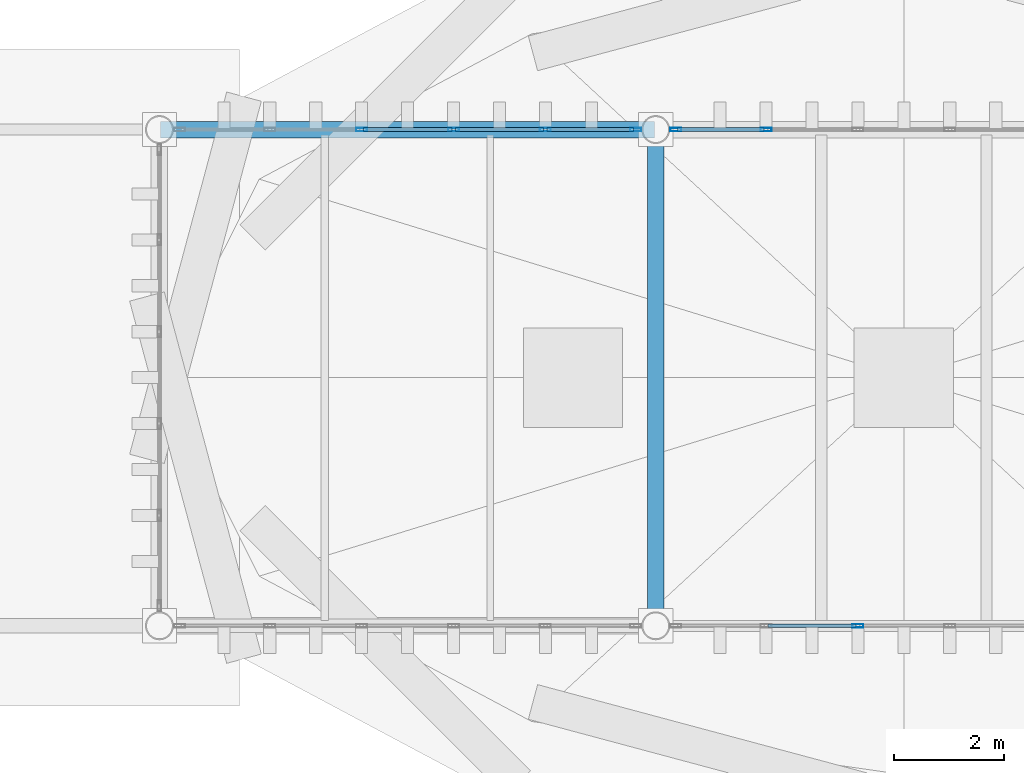
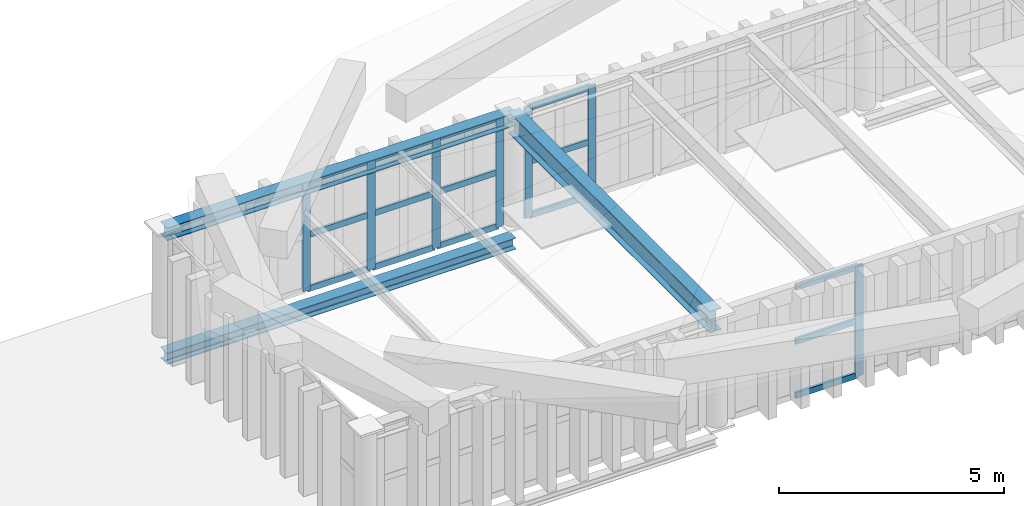
# One storey, part 17 of 102: 22 members, 3 beams, 3 elements without a shape of their own.
"""IFC4 building model written with IfcOpenShell, lengths in metres."""

from ifc_helpers import new_model, si_unit, direction, frame, origin, origin_2d, place, context, subcontext, project, spatial, hollow_rectangle, i_section, extrude, material, layer, layer_set, material_profile, profile_set, type_object, element, aggregate, save


model = new_model("IFC4")

# Units and contexts
model_context = context("Model", 3, precision=1e-05, world=origin(), true_north=direction((0.0, 1.0)))
body_context = subcontext(model_context, "Body", "Model", "MODEL_VIEW")
ifc_project = project(units=[si_unit("LENGTHUNIT", "METRE"), si_unit("AREAUNIT", "SQUARE_METRE"), si_unit("VOLUMEUNIT", "CUBIC_METRE"), si_unit("PLANEANGLEUNIT", "RADIAN"), si_unit("MASSUNIT", "GRAM", prefix="KILO")], contexts=[model_context])

# Site, building, storey
site_placement = place(None, origin())
site = spatial("IfcSite", under=ifc_project, at=site_placement, CompositionType="ELEMENT")
building_placement = place(site_placement, origin())
building = spatial("IfcBuilding", under=site, at=building_placement, Name="Barlavento Convention Centre", CompositionType="ELEMENT")
storey_placement = place(building_placement, frame((0.0, 0.0, 22.800048828125)))
storey = spatial("IfcBuildingStorey", under=building, at=storey_placement, Name="L04", CompositionType="ELEMENT", Elevation=22.800048828125)

# Curtain wall, members
ifc_material_1 = material(Name="Powder-coated aluminium and Low-E glass", Category="aluminium")
ifc_layer = layer(ifc_material_1, 0.18505859375)
ifc_layer_set = layer_set([ifc_layer], Name="ARC-CW-CONF-L04")
curtain_wall_type = type_object("IfcCurtainWallType", Name="ARC-CW-CONF-L04", PredefinedType="NOTDEFINED", material=ifc_layer_set)
curtain_wall_1_placement = place(storey_placement, origin())
curtain_wall_1 = element("IfcCurtainWall", 1, at=curtain_wall_1_placement, inside=storey, type_object=curtain_wall_type, Name="L04 unitised curtain wall CW09", PredefinedType="NOTDEFINED")
ifc_material_2 = material(Name="Powder-coated aluminium", Category="aluminium")
ifc_material_profile_1 = material_profile(ifc_material_2, hollow_rectangle(XDim=0.06494140625, YDim=0.199951171875, WallThickness=0.0048828125, at=origin_2d()), Name="AL-MULL 65x200x5")
ifc_profile_set_1 = profile_set([ifc_material_profile_1], Name="Powder-coated aluminium")
member_type_1 = type_object("IfcMemberType", Name="ARC-CWM-65X200", PredefinedType="MULLION", material=ifc_profile_set_1)
member_1_placement = place(storey_placement, frame((84.666748046875, 54.0, 0.0), z_axis=(0.0, 0.0, 1.0), x_axis=(0.0, 1.0, 0.0)))
member_1 = element("IfcMember", 2, at=member_1_placement, type_object=member_type_1, Name="CW09 mullion 3", PredefinedType="MULLION", context=body_context, shape_type="SweptSolid", body=[
    extrude(hollow_rectangle(XDim=0.06494140625, YDim=0.199951171875, WallThickness=0.0048828125, at=origin_2d()), origin(), (0.0, 0.0, 1.0), 3.0),
])
member_2_placement = place(storey_placement, frame((86.333251953125, 54.0, 0.0), z_axis=(0.0, 0.0, 1.0), x_axis=(0.0, 1.0, 0.0)))
member_2 = element("IfcMember", 3, at=member_2_placement, type_object=member_type_1, Name="CW09 mullion 4", PredefinedType="MULLION", context=body_context, shape_type="SweptSolid", body=[
    extrude(hollow_rectangle(XDim=0.06494140625, YDim=0.199951171875, WallThickness=0.0048828125, at=origin_2d()), origin(), (0.0, 0.0, 1.0), 3.0),
])
member_3_placement = place(storey_placement, frame((87.99951171875, 54.0, 0.0), z_axis=(0.0, 0.0, 1.0), x_axis=(0.0, 1.0, 0.0)))
member_3 = element("IfcMember", 4, at=member_3_placement, type_object=member_type_1, Name="CW09 mullion 5", PredefinedType="MULLION", context=body_context, shape_type="SweptSolid", body=[
    extrude(hollow_rectangle(XDim=0.06494140625, YDim=0.199951171875, WallThickness=0.0048828125, at=origin_2d()), origin(), (0.0, 0.0, 1.0), 3.0),
])
member_4_placement = place(storey_placement, frame((89.633544921875, 54.0, 0.0), z_axis=(0.0, 0.0, 1.0), x_axis=(0.0, 1.0, 0.0)))
member_4 = element("IfcMember", 5, at=member_4_placement, type_object=member_type_1, Name="CW09 mullion 6", PredefinedType="MULLION", context=body_context, shape_type="SweptSolid", body=[
    extrude(hollow_rectangle(XDim=0.06494140625, YDim=0.199951171875, WallThickness=0.0048828125, at=origin_2d()), origin(), (0.0, 0.0, 1.0), 3.0),
])

# Curtain wall, member
curtain_wall_2_placement = place(storey_placement, origin())
curtain_wall_2 = element("IfcCurtainWall", 6, at=curtain_wall_2_placement, inside=storey, type_object=curtain_wall_type, Name="L04 unitised curtain wall CW09", PredefinedType="NOTDEFINED")
member_5_placement = place(storey_placement, frame((93.666748046875, 45.0, 0.0), z_axis=(0.0, 0.0, 1.0), x_axis=(0.0, 1.0, 0.0)))
member_5 = element("IfcMember", 7, at=member_5_placement, type_object=member_type_1, Name="CW09 mullion 3", PredefinedType="MULLION", context=body_context, shape_type="SweptSolid", body=[
    extrude(hollow_rectangle(XDim=0.06494140625, YDim=0.199951171875, WallThickness=0.0048828125, at=origin_2d()), origin(), (0.0, 0.0, 1.0), 3.0),
])

# Curtain wall, members
curtain_wall_3_placement = place(storey_placement, origin())
curtain_wall_3 = element("IfcCurtainWall", 8, at=curtain_wall_3_placement, inside=storey, type_object=curtain_wall_type, Name="L04 unitised curtain wall CW09", PredefinedType="NOTDEFINED")
member_6_placement = place(storey_placement, frame((90.366455078125, 54.0, 0.0), z_axis=(0.0, 0.0, 1.0), x_axis=(0.0, 1.0, 0.0)))
member_6 = element("IfcMember", 9, at=member_6_placement, type_object=member_type_1, Name="CW09 mullion 1", PredefinedType="MULLION", context=body_context, shape_type="SweptSolid", body=[
    extrude(hollow_rectangle(XDim=0.06494140625, YDim=0.199951171875, WallThickness=0.0048828125, at=origin_2d()), origin(), (0.0, 0.0, 1.0), 3.0),
])
member_7_placement = place(storey_placement, frame((92.00048828125, 54.0, 0.0), z_axis=(0.0, 0.0, 1.0), x_axis=(0.0, 1.0, 0.0)))
member_7 = element("IfcMember", 10, at=member_7_placement, type_object=member_type_1, Name="CW09 mullion 2", PredefinedType="MULLION", context=body_context, shape_type="SweptSolid", body=[
    extrude(hollow_rectangle(XDim=0.06494140625, YDim=0.199951171875, WallThickness=0.0048828125, at=origin_2d()), origin(), (0.0, 0.0, 1.0), 3.0),
])

# Member
ifc_material_profile_2 = material_profile(ifc_material_2, hollow_rectangle(XDim=0.06494140625, YDim=0.159912109375, WallThickness=0.0048828125, at=origin_2d()), Name="AL-TRAN 65x160x5")
ifc_profile_set_2 = profile_set([ifc_material_profile_2], Name="Powder-coated aluminium")
member_type_2 = type_object("IfcMemberType", Name="ARC-CWT-65X160", PredefinedType="USERDEFINED", material=ifc_profile_set_2)
member_8_placement = place(storey_placement, frame((84.69921875, 54.0, 0.032470703125), z_axis=(1.0, 0.0, 0.0), x_axis=(0.0, 1.0, 0.0)))
member_8 = element("IfcMember", 11, at=member_8_placement, type_object=member_type_2, Name="CW09 transom 3.1", ObjectType="TRANSOM", PredefinedType="USERDEFINED", context=body_context, shape_type="SweptSolid", body=[
    extrude(hollow_rectangle(XDim=0.06494140625, YDim=0.159912109375, WallThickness=0.0048828125, at=origin_2d()), origin(), (0.0, 0.0, 1.0), 1.6015625),
])

member_9_placement = place(storey_placement, frame((84.69921875, 54.0, 1.5), z_axis=(1.0, 0.0, 0.0), x_axis=(0.0, 1.0, 0.0)))
member_9 = element("IfcMember", 12, at=member_9_placement, type_object=member_type_2, Name="CW09 transom 3.2", ObjectType="TRANSOM", PredefinedType="USERDEFINED", context=body_context, shape_type="SweptSolid", body=[
    extrude(hollow_rectangle(XDim=0.06494140625, YDim=0.159912109375, WallThickness=0.0048828125, at=origin_2d()), origin(), (0.0, 0.0, 1.0), 1.6015625),
])

member_10_placement = place(storey_placement, frame((84.69921875, 54.0, 2.967529296875), z_axis=(1.0, 0.0, 0.0), x_axis=(0.0, 1.0, 0.0)))
member_10 = element("IfcMember", 13, at=member_10_placement, type_object=member_type_2, Name="CW09 transom 3.3", ObjectType="TRANSOM", PredefinedType="USERDEFINED", context=body_context, shape_type="SweptSolid", body=[
    extrude(hollow_rectangle(XDim=0.06494140625, YDim=0.159912109375, WallThickness=0.0048828125, at=origin_2d()), origin(), (0.0, 0.0, 1.0), 1.6015625),
])

member_11_placement = place(storey_placement, frame((86.36572265625, 54.0, 0.032470703125), z_axis=(1.0, 0.0, 0.0), x_axis=(0.0, 1.0, 0.0)))
member_11 = element("IfcMember", 14, at=member_11_placement, type_object=member_type_2, Name="CW09 transom 4.1", ObjectType="TRANSOM", PredefinedType="USERDEFINED", context=body_context, shape_type="SweptSolid", body=[
    extrude(hollow_rectangle(XDim=0.06494140625, YDim=0.159912109375, WallThickness=0.0048828125, at=origin_2d()), origin(), (0.0, 0.0, 1.0), 1.601318359375),
])

member_12_placement = place(storey_placement, frame((86.36572265625, 54.0, 1.5), z_axis=(1.0, 0.0, 0.0), x_axis=(0.0, 1.0, 0.0)))
member_12 = element("IfcMember", 15, at=member_12_placement, type_object=member_type_2, Name="CW09 transom 4.2", ObjectType="TRANSOM", PredefinedType="USERDEFINED", context=body_context, shape_type="SweptSolid", body=[
    extrude(hollow_rectangle(XDim=0.06494140625, YDim=0.159912109375, WallThickness=0.0048828125, at=origin_2d()), origin(), (0.0, 0.0, 1.0), 1.601318359375),
])

member_13_placement = place(storey_placement, frame((86.36572265625, 54.0, 2.967529296875), z_axis=(1.0, 0.0, 0.0), x_axis=(0.0, 1.0, 0.0)))
member_13 = element("IfcMember", 16, at=member_13_placement, type_object=member_type_2, Name="CW09 transom 4.3", ObjectType="TRANSOM", PredefinedType="USERDEFINED", context=body_context, shape_type="SweptSolid", body=[
    extrude(hollow_rectangle(XDim=0.06494140625, YDim=0.159912109375, WallThickness=0.0048828125, at=origin_2d()), origin(), (0.0, 0.0, 1.0), 1.601318359375),
])

member_14_placement = place(storey_placement, frame((88.031982421875, 54.0, 0.032470703125), z_axis=(1.0, 0.0, 0.0), x_axis=(0.0, 1.0, 0.0)))
member_14 = element("IfcMember", 17, at=member_14_placement, type_object=member_type_2, Name="CW09 transom 5.1", ObjectType="TRANSOM", PredefinedType="USERDEFINED", context=body_context, shape_type="SweptSolid", body=[
    extrude(hollow_rectangle(XDim=0.06494140625, YDim=0.159912109375, WallThickness=0.0048828125, at=origin_2d()), origin(), (0.0, 0.0, 1.0), 1.569091796875),
])

member_15_placement = place(storey_placement, frame((88.031982421875, 54.0, 1.5), z_axis=(1.0, 0.0, 0.0), x_axis=(0.0, 1.0, 0.0)))
member_15 = element("IfcMember", 18, at=member_15_placement, type_object=member_type_2, Name="CW09 transom 5.2", ObjectType="TRANSOM", PredefinedType="USERDEFINED", context=body_context, shape_type="SweptSolid", body=[
    extrude(hollow_rectangle(XDim=0.06494140625, YDim=0.159912109375, WallThickness=0.0048828125, at=origin_2d()), origin(), (0.0, 0.0, 1.0), 1.569091796875),
])

member_16_placement = place(storey_placement, frame((88.031982421875, 54.0, 2.967529296875), z_axis=(1.0, 0.0, 0.0), x_axis=(0.0, 1.0, 0.0)))
member_16 = element("IfcMember", 19, at=member_16_placement, type_object=member_type_2, Name="CW09 transom 5.3", ObjectType="TRANSOM", PredefinedType="USERDEFINED", context=body_context, shape_type="SweptSolid", body=[
    extrude(hollow_rectangle(XDim=0.06494140625, YDim=0.159912109375, WallThickness=0.0048828125, at=origin_2d()), origin(), (0.0, 0.0, 1.0), 1.569091796875),
])

aggregate(curtain_wall_1, [member_1, member_2, member_3, member_4, member_8, member_9, member_10, member_11, member_12, member_13, member_14, member_15, member_16])

member_17_placement = place(storey_placement, frame((92.032958984375, 45.0, 0.032470703125), z_axis=(1.0, 0.0, 0.0), x_axis=(0.0, 1.0, 0.0)))
member_17 = element("IfcMember", 20, at=member_17_placement, type_object=member_type_2, Name="CW09 transom 2.1", ObjectType="TRANSOM", PredefinedType="USERDEFINED", context=body_context, shape_type="SweptSolid", body=[
    extrude(hollow_rectangle(XDim=0.06494140625, YDim=0.159912109375, WallThickness=0.0048828125, at=origin_2d()), origin(), (0.0, 0.0, 1.0), 1.601318359375),
])

member_18_placement = place(storey_placement, frame((92.032958984375, 45.0, 1.5), z_axis=(1.0, 0.0, 0.0), x_axis=(0.0, 1.0, 0.0)))
member_18 = element("IfcMember", 21, at=member_18_placement, type_object=member_type_2, Name="CW09 transom 2.2", ObjectType="TRANSOM", PredefinedType="USERDEFINED", context=body_context, shape_type="SweptSolid", body=[
    extrude(hollow_rectangle(XDim=0.06494140625, YDim=0.159912109375, WallThickness=0.0048828125, at=origin_2d()), origin(), (0.0, 0.0, 1.0), 1.601318359375),
])

member_19_placement = place(storey_placement, frame((92.032958984375, 45.0, 2.967529296875), z_axis=(1.0, 0.0, 0.0), x_axis=(0.0, 1.0, 0.0)))
member_19 = element("IfcMember", 22, at=member_19_placement, type_object=member_type_2, Name="CW09 transom 2.3", ObjectType="TRANSOM", PredefinedType="USERDEFINED", context=body_context, shape_type="SweptSolid", body=[
    extrude(hollow_rectangle(XDim=0.06494140625, YDim=0.159912109375, WallThickness=0.0048828125, at=origin_2d()), origin(), (0.0, 0.0, 1.0), 1.601318359375),
])

aggregate(curtain_wall_2, [member_5, member_17, member_18, member_19])

member_20_placement = place(storey_placement, frame((90.39892578125, 54.0, 0.032470703125), z_axis=(1.0, 0.0, 0.0), x_axis=(0.0, 1.0, 0.0)))
member_20 = element("IfcMember", 23, at=member_20_placement, type_object=member_type_2, Name="CW09 transom 1.1", ObjectType="TRANSOM", PredefinedType="USERDEFINED", context=body_context, shape_type="SweptSolid", body=[
    extrude(hollow_rectangle(XDim=0.06494140625, YDim=0.159912109375, WallThickness=0.0048828125, at=origin_2d()), origin(), (0.0, 0.0, 1.0), 1.569091796875),
])

member_21_placement = place(storey_placement, frame((90.39892578125, 54.0, 1.5), z_axis=(1.0, 0.0, 0.0), x_axis=(0.0, 1.0, 0.0)))
member_21 = element("IfcMember", 24, at=member_21_placement, type_object=member_type_2, Name="CW09 transom 1.2", ObjectType="TRANSOM", PredefinedType="USERDEFINED", context=body_context, shape_type="SweptSolid", body=[
    extrude(hollow_rectangle(XDim=0.06494140625, YDim=0.159912109375, WallThickness=0.0048828125, at=origin_2d()), origin(), (0.0, 0.0, 1.0), 1.569091796875),
])

member_22_placement = place(storey_placement, frame((90.39892578125, 54.0, 2.967529296875), z_axis=(1.0, 0.0, 0.0), x_axis=(0.0, 1.0, 0.0)))
member_22 = element("IfcMember", 25, at=member_22_placement, type_object=member_type_2, Name="CW09 transom 1.3", ObjectType="TRANSOM", PredefinedType="USERDEFINED", context=body_context, shape_type="SweptSolid", body=[
    extrude(hollow_rectangle(XDim=0.06494140625, YDim=0.159912109375, WallThickness=0.0048828125, at=origin_2d()), origin(), (0.0, 0.0, 1.0), 1.569091796875),
])

aggregate(curtain_wall_3, [member_6, member_7, member_20, member_21, member_22])

# Beams
ifc_material_3 = material(Name="Steel S355", Category="steel")
ifc_material_profile_3 = material_profile(ifc_material_3, i_section(OverallWidth=0.300048828125, OverallDepth=0.35009765625, WebThickness=0.010009765625, FlangeThickness=0.017578125, FilletRadius=0.027099609375, at=origin_2d()), Name="HEA 360")
ifc_profile_set_3 = profile_set([ifc_material_profile_3], Name="Steel S355")
beam_type_1 = type_object("IfcBeamType", Name="STR-BM-PRI-HEA360", PredefinedType="BEAM", material=ifc_profile_set_3)
beam_1_placement = place(storey_placement, frame((81.02001953125, 54.0, 2.8798828125), z_axis=(1.0, 0.0, 0.0), x_axis=(0.0, 1.0, 0.0)))
element("IfcBeam", 26, at=beam_1_placement, inside=storey, type_object=beam_type_1, Name="L04 Rotunda clerestory roof girder BG23", PredefinedType="BEAM", context=body_context, shape_type="SweptSolid", body=[
    extrude(i_section(OverallWidth=0.300048828125, OverallDepth=0.35009765625, WebThickness=0.010009765625, FlangeThickness=0.017578125, FilletRadius=0.027099609375, at=origin_2d()), origin(), (0.0, 0.0, 1.0), 8.9599609375),
])
ifc_material_profile_4 = material_profile(ifc_material_3, i_section(OverallWidth=0.300048828125, OverallDepth=0.590087890625, WebThickness=0.012939453125, FlangeThickness=0.02490234375, FilletRadius=0.027099609375, at=origin_2d()), Name="HEA 600")
ifc_profile_set_4 = profile_set([ifc_material_profile_4], Name="Steel S355")
beam_type_2 = type_object("IfcBeamType", Name="STR-BM-PRI-HEA600", PredefinedType="BEAM", material=ifc_profile_set_4)
beam_2_placement = place(storey_placement, frame((90.0, 45.02001953125, 2.760009765625), z_axis=(0.0, 1.0, 0.0), x_axis=(-1.0, 0.0, 0.0)))
element("IfcBeam", 27, at=beam_2_placement, inside=storey, type_object=beam_type_2, Name="L04 grid girder BG18", PredefinedType="BEAM", context=body_context, shape_type="SweptSolid", body=[
    extrude(i_section(OverallWidth=0.300048828125, OverallDepth=0.590087890625, WebThickness=0.012939453125, FlangeThickness=0.02490234375, FilletRadius=0.027099609375, at=origin_2d()), origin(), (0.0, 0.0, 1.0), 8.9599609375),
])
ifc_material_profile_5 = material_profile(ifc_material_3, i_section(OverallWidth=0.300048828125, OverallDepth=0.31005859375, WebThickness=0.009033203125, FlangeThickness=0.015380859375, FilletRadius=0.027099609375, at=origin_2d()), Name="HEA 320")
ifc_profile_set_5 = profile_set([ifc_material_profile_5], Name="Steel S355")
beam_type_3 = type_object("IfcBeamType", Name="STR-BM-SPN-HEA320", PredefinedType="SPANDREL", material=ifc_profile_set_5)
beam_3_placement = place(storey_placement, frame((81.02001953125, 54.0, -0.5), z_axis=(1.0, 0.0, 0.0), x_axis=(0.0, 1.0, 0.0)))
element("IfcBeam", 28, at=beam_3_placement, inside=storey, type_object=beam_type_3, Name="L04 primary girder SP01", PredefinedType="SPANDREL", context=body_context, shape_type="SweptSolid", body=[
    extrude(i_section(OverallWidth=0.300048828125, OverallDepth=0.31005859375, WebThickness=0.009033203125, FlangeThickness=0.015380859375, FilletRadius=0.027099609375, at=origin_2d()), origin(), (0.0, 0.0, 1.0), 8.9599609375),
])

save(model, "model.ifc")
